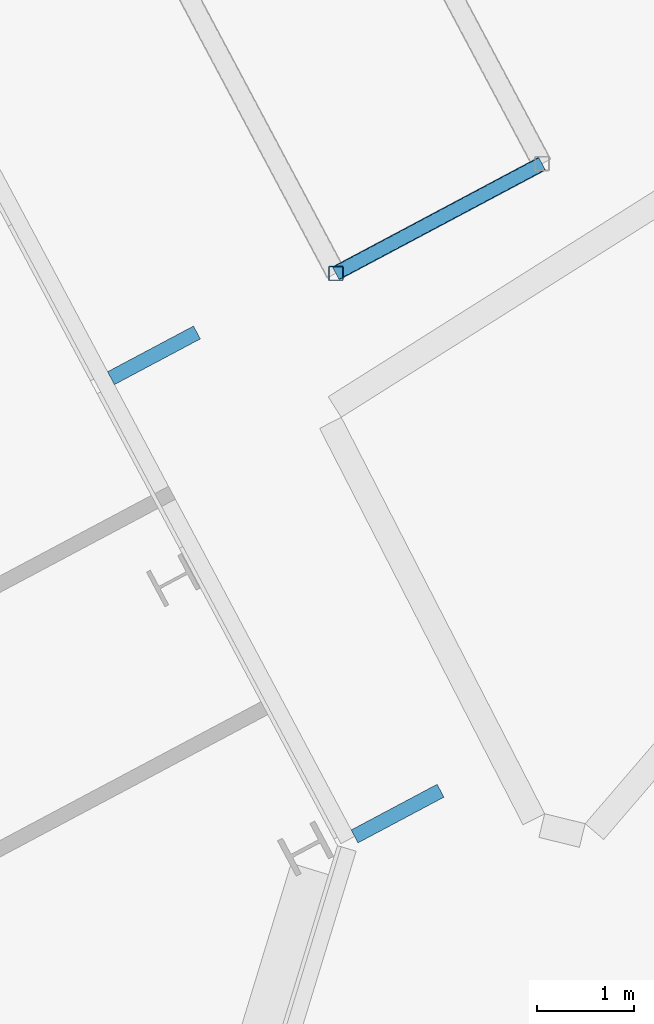
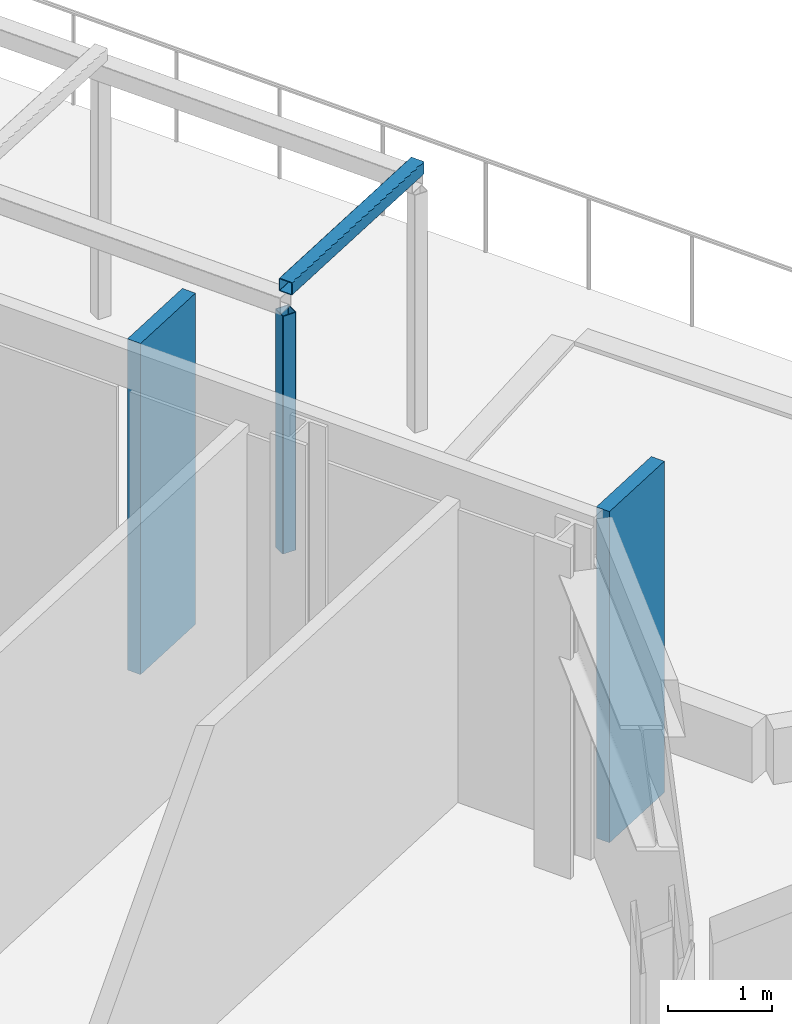
# One storey, part 10 of 31: 4 members, 1 element without a shape of its own.
"""IFC4 building model written with IfcOpenShell, lengths in metres."""

from ifc_helpers import new_model, si_unit, direction, frame, origin, origin_2d, place, context, subcontext, project, spatial, rectangle, hollow_rectangle, extrude, material, layer, layer_set, material_profile, profile_set, type_object, element, aggregate, save


model = new_model("IFC4")

# Units and contexts
model_context = context("Model", 3, precision=1e-05, world=origin(), true_north=direction((0.0, 1.0)))
body_context = subcontext(model_context, "Body", "Model", "MODEL_VIEW")
ifc_project = project(units=[si_unit("LENGTHUNIT", "METRE"), si_unit("AREAUNIT", "SQUARE_METRE"), si_unit("VOLUMEUNIT", "CUBIC_METRE"), si_unit("PLANEANGLEUNIT", "RADIAN"), si_unit("MASSUNIT", "GRAM", prefix="KILO")], contexts=[model_context])

# Site, building, storey
site_placement = place(None, origin())
site = spatial("IfcSite", under=ifc_project, at=site_placement, CompositionType="ELEMENT")
building_placement = place(site_placement, origin())
building = spatial("IfcBuilding", under=site, at=building_placement, Name="Cormorant Relay Tower", CompositionType="ELEMENT")
storey_placement = place(building_placement, frame((0.0, 0.0, 189.60009765625)))
storey = spatial("IfcBuildingStorey", under=building, at=storey_placement, Name="L40", CompositionType="ELEMENT", Elevation=189.60009765625)

# Curtain wall, members
ifc_material_1 = material(Name="Aluminium 6063-T6 anodised bronze", Category="aluminium")
ifc_layer = layer(ifc_material_1, 0.199951171875)
ifc_layer_set = layer_set([ifc_layer], Name="CW1 unitised bronze curtain wall with vertical fins")
curtain_wall_type = type_object("IfcCurtainWallType", Name="CW1 unitised bronze curtain wall with vertical fins", PredefinedType="NOTDEFINED", material=ifc_layer_set)
curtain_wall_placement = place(storey_placement, origin())
curtain_wall = element("IfcCurtainWall", 1, at=curtain_wall_placement, inside=storey, type_object=curtain_wall_type, Name="CW1 curtain wall 6", PredefinedType="NOTDEFINED")
ifc_material_2 = material(Name="Aluminium 6063-T6 anodised bronze", Category="aluminium")
ifc_material_profile_1 = material_profile(ifc_material_2, rectangle(XDim=0.14990234375, YDim=1.0, at=origin_2d()), Name="AL 150x1000")
ifc_profile_set_1 = profile_set([ifc_material_profile_1], Name="Aluminium 6063-T6 anodised bronze")
member_type_1 = type_object("IfcMemberType", Name="CW1 bronze fin mullion 150 x 1000", PredefinedType="MULLION", material=ifc_profile_set_1)
member_1_placement = place(storey_placement, frame((49.572021484375, 10.501953125, 0.0), z_axis=(0.0, 0.0, 1.0), x_axis=(-0.469471562786, 0.882947592859, 0.0)))
member_1 = element("IfcMember", 2, at=member_1_placement, type_object=member_type_1, Name="CW1 fin 6.1", PredefinedType="MULLION", context=body_context, shape_type="SweptSolid", body=[
    extrude(rectangle(XDim=0.14990234375, YDim=1.0, at=origin_2d()), origin(), (0.0, 0.0, 1.0), 3.89990234375),
])
member_2_placement = place(storey_placement, frame((47.068359375, 15.211181640625, 0.0), z_axis=(0.0, 0.0, 1.0), x_axis=(-0.469471562786, 0.882947592859, 0.0)))
member_2 = element("IfcMember", 3, at=member_2_placement, type_object=member_type_1, Name="CW1 fin 6.2", PredefinedType="MULLION", context=body_context, shape_type="SweptSolid", body=[
    extrude(rectangle(XDim=0.14990234375, YDim=1.0, at=origin_2d()), origin(), (0.0, 0.0, 1.0), 3.89990234375),
])
aggregate(curtain_wall, [member_1, member_2])

# Members
ifc_material_3 = material(Name="Steel ASTM A500 Grade C (Fy 345 MPa)", Category="steel")
ifc_material_profile_2 = material_profile(ifc_material_3, hollow_rectangle(XDim=0.15234375, YDim=0.15234375, WallThickness=0.0087890625, InnerFilletRadius=0.00439453125, OuterFilletRadius=0.01318359375, at=origin_2d()), Name="HSS152x152x9")
ifc_profile_set_2 = profile_set([ifc_material_profile_2], Name="Steel ASTM A500 Grade C (Fy 345 MPa)")
member_type_2 = type_object("IfcMemberType", Name="Pergola post HSS152x152x9", PredefinedType="POST", material=ifc_profile_set_2)
member_3_placement = place(storey_placement, frame((48.9375, 16.053955078125, 0.0), z_axis=(0.0, 0.0, 1.0), x_axis=(1.0, 0.0, 0.0)))
element("IfcMember", 4, at=member_3_placement, inside=storey, type_object=member_type_2, Name="Pergola post", PredefinedType="POST", context=body_context, shape_type="SweptSolid", body=[
    extrude(hollow_rectangle(XDim=0.15234375, YDim=0.15234375, WallThickness=0.0087890625, InnerFilletRadius=0.00439453125, OuterFilletRadius=0.01318359375, at=origin_2d()), origin(), (0.0, 0.0, 1.0), 2.7998046875),
])
ifc_material_4 = material(Name="Steel ASTM A500 Grade C (Fy 345 MPa)", Category="steel")
ifc_material_profile_3 = material_profile(ifc_material_4, hollow_rectangle(XDim=0.15234375, YDim=0.15234375, WallThickness=0.0087890625, InnerFilletRadius=0.00439453125, OuterFilletRadius=0.01318359375, at=origin_2d()), Name="HSS152x152x9")
ifc_profile_set_3 = profile_set([ifc_material_profile_3], Name="Steel ASTM A500 Grade C (Fy 345 MPa)")
member_type_3 = type_object("IfcMemberType", Name="Pergola rafter HSS152x152x9", PredefinedType="RAFTER", material=ifc_profile_set_3)
member_4_placement = place(storey_placement, frame((48.9375, 16.053955078125, 3.079345703125), z_axis=(0.882935201215, 0.469494867336, 0.0), x_axis=(-0.469494867336, 0.882935201215, 0.0)))
element("IfcMember", 5, at=member_4_placement, inside=storey, type_object=member_type_3, Name="Pergola rafter", PredefinedType="RAFTER", context=body_context, shape_type="SweptSolid", body=[
    extrude(hollow_rectangle(XDim=0.15234375, YDim=0.15234375, WallThickness=0.0087890625, InnerFilletRadius=0.00439453125, OuterFilletRadius=0.01318359375, at=origin_2d()), origin(), (0.0, 0.0, 1.0), 2.39990234375),
])

save(model, "model.ifc")
